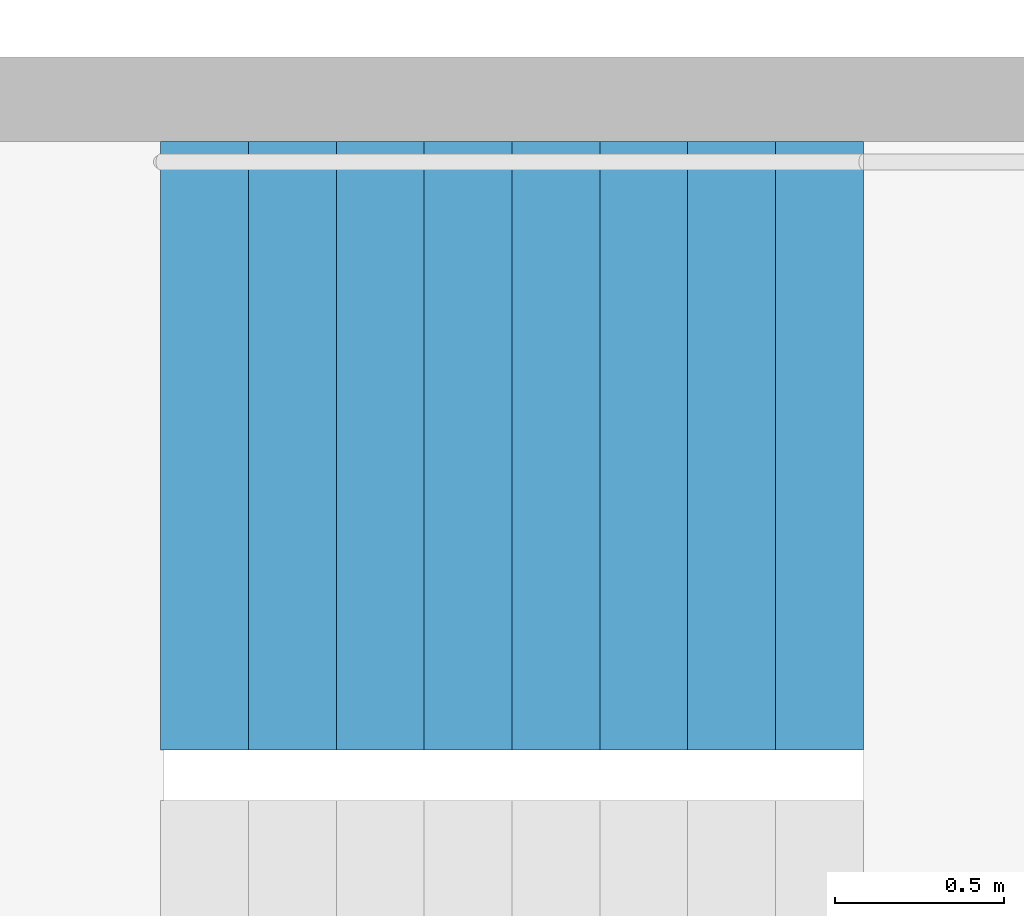
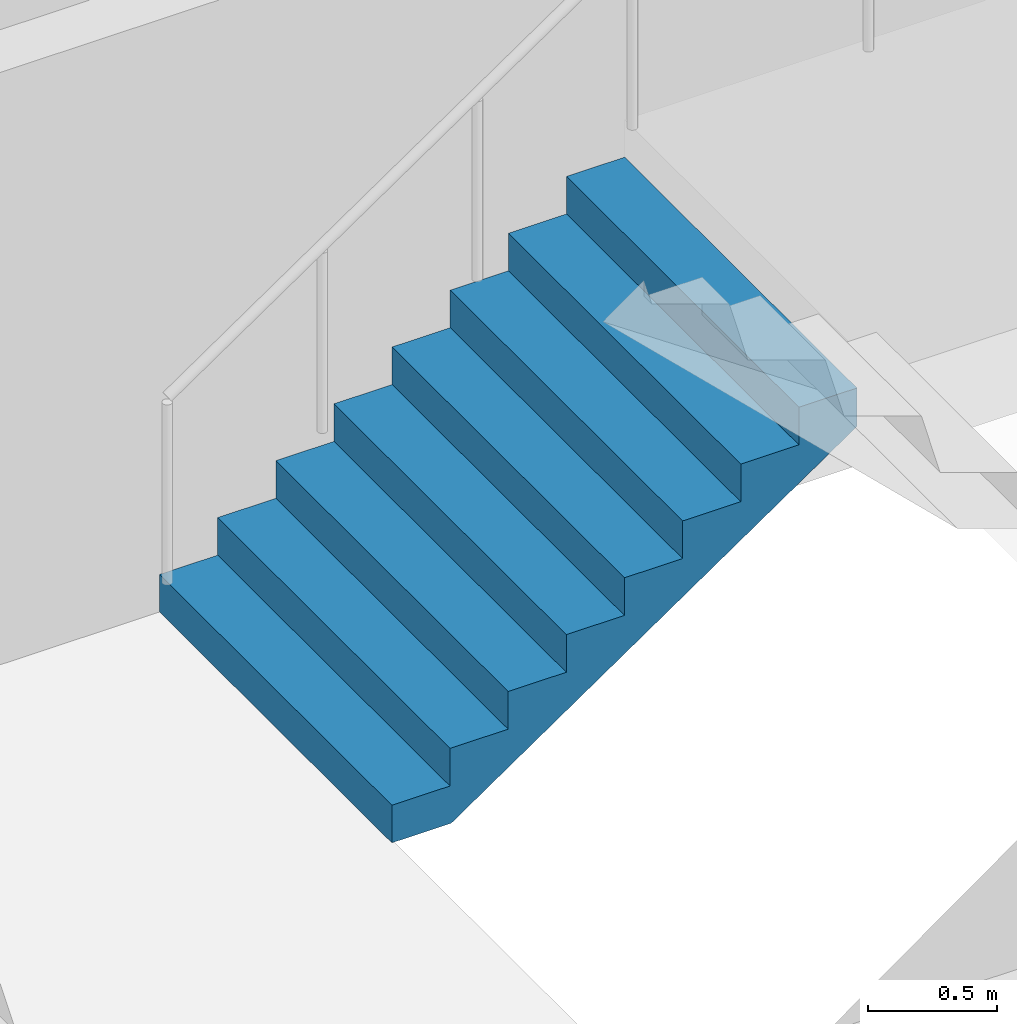
# One storey, part 25 of 28: 1 stair flight, 1 element without a shape of its own.
"""IFC4 building model written with IfcOpenShell, lengths in metres."""

from ifc_helpers import new_model, si_unit, direction, frame, origin, place, context, subcontext, project, spatial, triangles, material, type_object, element, aggregate, save


model = new_model("IFC4")

# Units and contexts
model_context = context("Model", 3, precision=1e-05, world=origin(), true_north=direction((0.0, 1.0)))
body_context = subcontext(model_context, "Body", "Model", "MODEL_VIEW")
ifc_project = project(units=[si_unit("LENGTHUNIT", "METRE"), si_unit("AREAUNIT", "SQUARE_METRE"), si_unit("VOLUMEUNIT", "CUBIC_METRE"), si_unit("PLANEANGLEUNIT", "RADIAN"), si_unit("MASSUNIT", "GRAM", prefix="KILO")], contexts=[model_context])

# Site, building, storey
site_placement = place(None, origin())
site = spatial("IfcSite", under=ifc_project, at=site_placement, CompositionType="ELEMENT")
building_placement = place(site_placement, origin())
building = spatial("IfcBuilding", under=site, at=building_placement, Name="Hakoniwa Tower and Hamabe Station Hall", CompositionType="ELEMENT")
storey_placement = place(building_placement, frame((0.0, 0.0, 35.800048828125)))
storey = spatial("IfcBuildingStorey", under=building, at=storey_placement, Name="L09", CompositionType="ELEMENT", Elevation=35.800048828125)

# Stair, stair flight
ifc_material_1 = material(Name="Concrete C40", Category="concrete")
stair_type = type_object("IfcStairType", Name="ESCAPE STAIR 1800", PredefinedType="HALF_TURN_STAIR", material=ifc_material_1)
stair_placement = place(storey_placement, origin())
stair = element("IfcStair", 1, at=stair_placement, inside=storey, type_object=stair_type, Name="Escape stair ST-4 L09", PredefinedType="HALF_TURN_STAIR")
ifc_material_2 = material(Name="Concrete C40", Category="concrete")
stair_flight_type = type_object("IfcStairFlightType", Name="STAIR FLIGHT 1800", PredefinedType="STRAIGHT", material=ifc_material_2)
stair_flight_placement = place(storey_placement, frame((23.39990234375, -4.64990234375, 0.0), z_axis=(0.0, 0.0, 1.0), x_axis=(1.0, 0.0, 0.0)))
stair_flight = element("IfcStairFlight", 2, at=stair_flight_placement, type_object=stair_flight_type, Name="ST-4 flight 1", NumberOfRisers=9, NumberOfTreads=8, PredefinedType="STRAIGHT", RiserHeight=0.177777778, TreadLength=0.26, context=body_context, shape_type="Tessellation", body=[
    triangles([(0.0, 0.89990234375, 0.0), (0.260009765625, 0.89990234375, 0.0), (0.265625, 0.89990234375, 0.0), (0.52001953125, 0.89990234375, 0.174072265625), (0.780029296875, 0.89990234375, 0.351806640625), (1.0400390625, 0.89990234375, 0.529541015625), (1.300048828125, 0.89990234375, 0.707275390625), (1.56005859375, 0.89990234375, 0.885009765625), (1.820068359375, 0.89990234375, 1.062744140625), (2.080078125, 0.89990234375, 1.24072265625), (2.080078125, 0.89990234375, 1.422119140625), (1.820068359375, 0.89990234375, 1.422119140625), (1.820068359375, 0.89990234375, 1.244384765625), (1.56005859375, 0.89990234375, 1.244384765625), (1.56005859375, 0.89990234375, 1.066650390625), (1.300048828125, 0.89990234375, 1.066650390625), (1.300048828125, 0.89990234375, 0.888916015625), (1.0400390625, 0.89990234375, 0.888916015625), (1.0400390625, 0.89990234375, 0.711181640625), (0.780029296875, 0.89990234375, 0.711181640625), (0.780029296875, 0.89990234375, 0.533447265625), (0.52001953125, 0.89990234375, 0.533447265625), (0.52001953125, 0.89990234375, 0.35546875), (0.265625, 0.89990234375, 0.35546875), (0.260009765625, 0.89990234375, 0.35546875), (0.260009765625, 0.89990234375, 0.177734375), (0.0, 0.89990234375, 0.177734375), (0.0, 0.06005859375, 0.0), (0.260009765625, 0.06005859375, 0.0), (0.265625, 0.06005859375, 0.0), (0.52001953125, 0.06005859375, 0.174072265625), (0.780029296875, 0.06005859375, 0.351806640625), (1.0400390625, 0.06005859375, 0.529541015625), (1.300048828125, 0.06005859375, 0.707275390625), (1.56005859375, 0.06005859375, 0.885009765625), (1.820068359375, 0.06005859375, 1.062744140625), (2.080078125, 0.06005859375, 1.24072265625), (2.080078125, 0.06005859375, 1.422119140625), (1.820068359375, 0.06005859375, 1.422119140625), (1.820068359375, 0.06005859375, 1.244384765625), (1.56005859375, 0.06005859375, 1.244384765625), (1.56005859375, 0.06005859375, 1.066650390625), (1.300048828125, 0.06005859375, 1.066650390625), (1.300048828125, 0.06005859375, 0.888916015625), (1.0400390625, 0.06005859375, 0.888916015625), (1.0400390625, 0.06005859375, 0.711181640625), (0.780029296875, 0.06005859375, 0.711181640625), (0.780029296875, 0.06005859375, 0.533447265625), (0.52001953125, 0.06005859375, 0.533447265625), (0.52001953125, 0.06005859375, 0.35546875), (0.265625, 0.06005859375, 0.35546875), (0.260009765625, 0.06005859375, 0.35546875), (0.260009765625, 0.06005859375, 0.177734375), (0.0, 0.06005859375, 0.177734375), (0.0, 0.04296875, 0.0), (0.260009765625, 0.04296875, 0.0), (0.265625, 0.04296875, 0.0), (0.52001953125, 0.04296875, 0.174072265625), (0.780029296875, 0.04296875, 0.351806640625), (1.0400390625, 0.04296875, 0.529541015625), (1.300048828125, 0.04296875, 0.707275390625), (1.56005859375, 0.04296875, 0.885009765625), (1.820068359375, 0.04296875, 1.062744140625), (2.080078125, 0.04296875, 1.24072265625), (2.080078125, 0.04296875, 1.422119140625), (1.820068359375, 0.04296875, 1.422119140625), (1.820068359375, 0.04296875, 1.244384765625), (1.56005859375, 0.04296875, 1.244384765625), (1.56005859375, 0.04296875, 1.066650390625), (1.300048828125, 0.04296875, 1.066650390625), (1.300048828125, 0.04296875, 0.888916015625), (1.0400390625, 0.04296875, 0.888916015625), (1.0400390625, 0.04296875, 0.711181640625), (0.780029296875, 0.04296875, 0.711181640625), (0.780029296875, 0.04296875, 0.533447265625), (0.52001953125, 0.04296875, 0.533447265625), (0.52001953125, 0.04296875, 0.35546875), (0.265625, 0.04296875, 0.35546875), (0.260009765625, 0.04296875, 0.35546875), (0.260009765625, 0.04296875, 0.177734375), (0.0, 0.04296875, 0.177734375), (0.0, 0.025634765625, 0.0), (0.260009765625, 0.025634765625, 0.0), (0.265625, 0.025634765625, 0.0), (0.52001953125, 0.025634765625, 0.174072265625), (0.780029296875, 0.025634765625, 0.351806640625), (1.0400390625, 0.025634765625, 0.529541015625), (1.300048828125, 0.025634765625, 0.707275390625), (1.56005859375, 0.025634765625, 0.885009765625), (1.820068359375, 0.025634765625, 1.062744140625), (2.080078125, 0.025634765625, 1.24072265625), (2.080078125, 0.025634765625, 1.422119140625), (1.820068359375, 0.025634765625, 1.422119140625), (1.820068359375, 0.025634765625, 1.244384765625), (1.56005859375, 0.025634765625, 1.244384765625), (1.56005859375, 0.025634765625, 1.066650390625), (1.300048828125, 0.025634765625, 1.066650390625), (1.300048828125, 0.025634765625, 0.888916015625), (1.0400390625, 0.025634765625, 0.888916015625), (1.0400390625, 0.025634765625, 0.711181640625), (0.780029296875, 0.025634765625, 0.711181640625), (0.780029296875, 0.025634765625, 0.533447265625), (0.52001953125, 0.025634765625, 0.533447265625), (0.52001953125, 0.025634765625, 0.35546875), (0.265625, 0.025634765625, 0.35546875), (0.260009765625, 0.025634765625, 0.35546875), (0.260009765625, 0.025634765625, 0.177734375), (0.0, 0.025634765625, 0.177734375), (0.0, 0.008544921875, 0.0), (0.260009765625, 0.008544921875, 0.0), (0.265625, 0.008544921875, 0.0), (0.52001953125, 0.008544921875, 0.174072265625), (0.780029296875, 0.008544921875, 0.351806640625), (1.0400390625, 0.008544921875, 0.529541015625), (1.300048828125, 0.008544921875, 0.707275390625), (1.56005859375, 0.008544921875, 0.885009765625), (1.820068359375, 0.008544921875, 1.062744140625), (2.080078125, 0.008544921875, 1.24072265625), (2.080078125, 0.008544921875, 1.422119140625), (1.820068359375, 0.008544921875, 1.422119140625), (1.820068359375, 0.008544921875, 1.244384765625), (1.56005859375, 0.008544921875, 1.244384765625), (1.56005859375, 0.008544921875, 1.066650390625), (1.300048828125, 0.008544921875, 1.066650390625), (1.300048828125, 0.008544921875, 0.888916015625), (1.0400390625, 0.008544921875, 0.888916015625), (1.0400390625, 0.008544921875, 0.711181640625), (0.780029296875, 0.008544921875, 0.711181640625), (0.780029296875, 0.008544921875, 0.533447265625), (0.52001953125, 0.008544921875, 0.533447265625), (0.52001953125, 0.008544921875, 0.35546875), (0.265625, 0.008544921875, 0.35546875), (0.260009765625, 0.008544921875, 0.35546875), (0.260009765625, 0.008544921875, 0.177734375), (0.0, 0.008544921875, 0.177734375), (0.0, -0.008544921875, 0.0), (0.260009765625, -0.008544921875, 0.0), (0.265625, -0.008544921875, 0.0), (0.52001953125, -0.008544921875, 0.174072265625), (0.780029296875, -0.008544921875, 0.351806640625), (1.0400390625, -0.008544921875, 0.529541015625), (1.300048828125, -0.008544921875, 0.707275390625), (1.56005859375, -0.008544921875, 0.885009765625), (1.820068359375, -0.008544921875, 1.062744140625), (2.080078125, -0.008544921875, 1.24072265625), (2.080078125, -0.008544921875, 1.422119140625), (1.820068359375, -0.008544921875, 1.422119140625), (1.820068359375, -0.008544921875, 1.244384765625), (1.56005859375, -0.008544921875, 1.244384765625), (1.56005859375, -0.008544921875, 1.066650390625), (1.300048828125, -0.008544921875, 1.066650390625), (1.300048828125, -0.008544921875, 0.888916015625), (1.0400390625, -0.008544921875, 0.888916015625), (1.0400390625, -0.008544921875, 0.711181640625), (0.780029296875, -0.008544921875, 0.711181640625), (0.780029296875, -0.008544921875, 0.533447265625), (0.52001953125, -0.008544921875, 0.533447265625), (0.52001953125, -0.008544921875, 0.35546875), (0.265625, -0.008544921875, 0.35546875), (0.260009765625, -0.008544921875, 0.35546875), (0.260009765625, -0.008544921875, 0.177734375), (0.0, -0.008544921875, 0.177734375), (0.0, -0.025634765625, 0.0), (0.260009765625, -0.025634765625, 0.0), (0.265625, -0.025634765625, 0.0), (0.52001953125, -0.025634765625, 0.174072265625), (0.780029296875, -0.025634765625, 0.351806640625), (1.0400390625, -0.025634765625, 0.529541015625), (1.300048828125, -0.025634765625, 0.707275390625), (1.56005859375, -0.025634765625, 0.885009765625), (1.820068359375, -0.025634765625, 1.062744140625), (2.080078125, -0.025634765625, 1.24072265625), (2.080078125, -0.025634765625, 1.422119140625), (1.820068359375, -0.025634765625, 1.422119140625), (1.820068359375, -0.025634765625, 1.244384765625), (1.56005859375, -0.025634765625, 1.244384765625), (1.56005859375, -0.025634765625, 1.066650390625), (1.300048828125, -0.025634765625, 1.066650390625), (1.300048828125, -0.025634765625, 0.888916015625), (1.0400390625, -0.025634765625, 0.888916015625), (1.0400390625, -0.025634765625, 0.711181640625), (0.780029296875, -0.025634765625, 0.711181640625), (0.780029296875, -0.025634765625, 0.533447265625), (0.52001953125, -0.025634765625, 0.533447265625), (0.52001953125, -0.025634765625, 0.35546875), (0.265625, -0.025634765625, 0.35546875), (0.260009765625, -0.025634765625, 0.35546875), (0.260009765625, -0.025634765625, 0.177734375), (0.0, -0.025634765625, 0.177734375), (0.0, -0.04296875, 0.0), (0.260009765625, -0.04296875, 0.0), (0.265625, -0.04296875, 0.0), (0.52001953125, -0.04296875, 0.174072265625), (0.780029296875, -0.04296875, 0.351806640625), (1.0400390625, -0.04296875, 0.529541015625), (1.300048828125, -0.04296875, 0.707275390625), (1.56005859375, -0.04296875, 0.885009765625), (1.820068359375, -0.04296875, 1.062744140625), (2.080078125, -0.04296875, 1.24072265625), (2.080078125, -0.04296875, 1.422119140625), (1.820068359375, -0.04296875, 1.422119140625), (1.820068359375, -0.04296875, 1.244384765625), (1.56005859375, -0.04296875, 1.244384765625), (1.56005859375, -0.04296875, 1.066650390625), (1.300048828125, -0.04296875, 1.066650390625), (1.300048828125, -0.04296875, 0.888916015625), (1.0400390625, -0.04296875, 0.888916015625), (1.0400390625, -0.04296875, 0.711181640625), (0.780029296875, -0.04296875, 0.711181640625), (0.780029296875, -0.04296875, 0.533447265625), (0.52001953125, -0.04296875, 0.533447265625), (0.52001953125, -0.04296875, 0.35546875), (0.265625, -0.04296875, 0.35546875), (0.260009765625, -0.04296875, 0.35546875), (0.260009765625, -0.04296875, 0.177734375), (0.0, -0.04296875, 0.177734375), (0.0, -0.06005859375, 0.0), (0.260009765625, -0.06005859375, 0.0), (0.265625, -0.06005859375, 0.0), (0.52001953125, -0.06005859375, 0.174072265625), (0.780029296875, -0.06005859375, 0.351806640625), (1.0400390625, -0.06005859375, 0.529541015625), (1.300048828125, -0.06005859375, 0.707275390625), (1.56005859375, -0.06005859375, 0.885009765625), (1.820068359375, -0.06005859375, 1.062744140625), (2.080078125, -0.06005859375, 1.24072265625), (2.080078125, -0.06005859375, 1.422119140625), (1.820068359375, -0.06005859375, 1.422119140625), (1.820068359375, -0.06005859375, 1.244384765625), (1.56005859375, -0.06005859375, 1.244384765625), (1.56005859375, -0.06005859375, 1.066650390625), (1.300048828125, -0.06005859375, 1.066650390625), (1.300048828125, -0.06005859375, 0.888916015625), (1.0400390625, -0.06005859375, 0.888916015625), (1.0400390625, -0.06005859375, 0.711181640625), (0.780029296875, -0.06005859375, 0.711181640625), (0.780029296875, -0.06005859375, 0.533447265625), (0.52001953125, -0.06005859375, 0.533447265625), (0.52001953125, -0.06005859375, 0.35546875), (0.265625, -0.06005859375, 0.35546875), (0.260009765625, -0.06005859375, 0.35546875), (0.260009765625, -0.06005859375, 0.177734375), (0.0, -0.06005859375, 0.177734375), (0.0, -0.89990234375, 0.0), (0.260009765625, -0.89990234375, 0.0), (0.265625, -0.89990234375, 0.0), (0.52001953125, -0.89990234375, 0.174072265625), (0.780029296875, -0.89990234375, 0.351806640625), (1.0400390625, -0.89990234375, 0.529541015625), (1.300048828125, -0.89990234375, 0.707275390625), (1.56005859375, -0.89990234375, 0.885009765625), (1.820068359375, -0.89990234375, 1.062744140625), (2.080078125, -0.89990234375, 1.24072265625), (2.080078125, -0.89990234375, 1.422119140625), (1.820068359375, -0.89990234375, 1.422119140625), (1.820068359375, -0.89990234375, 1.244384765625), (1.56005859375, -0.89990234375, 1.244384765625), (1.56005859375, -0.89990234375, 1.066650390625), (1.300048828125, -0.89990234375, 1.066650390625), (1.300048828125, -0.89990234375, 0.888916015625), (1.0400390625, -0.89990234375, 0.888916015625), (1.0400390625, -0.89990234375, 0.711181640625), (0.780029296875, -0.89990234375, 0.711181640625), (0.780029296875, -0.89990234375, 0.533447265625), (0.52001953125, -0.89990234375, 0.533447265625), (0.52001953125, -0.89990234375, 0.35546875), (0.265625, -0.89990234375, 0.35546875), (0.260009765625, -0.89990234375, 0.35546875), (0.260009765625, -0.89990234375, 0.177734375), (0.0, -0.89990234375, 0.177734375)], [[2, 27, 26], [245, 269, 270], [2, 1, 27], [245, 270, 244], [3, 25, 24], [246, 267, 268], [3, 26, 25], [246, 268, 269], [3, 2, 26], [246, 269, 245], [4, 24, 23], [247, 266, 267], [4, 3, 24], [247, 267, 246], [5, 22, 21], [248, 264, 265], [5, 23, 22], [248, 265, 266], [5, 4, 23], [248, 266, 247], [6, 20, 19], [249, 262, 263], [6, 21, 20], [249, 263, 264], [6, 5, 21], [249, 264, 248], [7, 18, 17], [250, 260, 261], [7, 19, 18], [250, 261, 262], [7, 6, 19], [250, 262, 249], [8, 16, 15], [251, 258, 259], [8, 17, 16], [251, 259, 260], [8, 7, 17], [251, 260, 250], [9, 14, 13], [252, 256, 257], [9, 15, 14], [252, 257, 258], [9, 8, 15], [252, 258, 251], [10, 12, 11], [253, 254, 255], [10, 13, 12], [253, 255, 256], [10, 9, 13], [253, 256, 252], [1, 2, 29], [1, 29, 28], [28, 29, 56], [28, 56, 55], [55, 56, 83], [55, 83, 82], [82, 83, 110], [82, 110, 109], [109, 110, 137], [109, 137, 136], [136, 137, 164], [136, 164, 163], [163, 164, 191], [163, 191, 190], [190, 191, 218], [190, 218, 217], [217, 218, 245], [217, 245, 244], [2, 3, 30], [2, 30, 29], [29, 30, 57], [29, 57, 56], [56, 57, 84], [56, 84, 83], [83, 84, 111], [83, 111, 110], [110, 111, 138], [110, 138, 137], [137, 138, 165], [137, 165, 164], [164, 165, 192], [164, 192, 191], [191, 192, 219], [191, 219, 218], [218, 219, 246], [218, 246, 245], [3, 4, 31], [3, 31, 30], [30, 31, 58], [30, 58, 57], [57, 58, 85], [57, 85, 84], [84, 85, 112], [84, 112, 111], [111, 112, 139], [111, 139, 138], [138, 139, 166], [138, 166, 165], [165, 166, 193], [165, 193, 192], [192, 193, 220], [192, 220, 219], [219, 220, 247], [219, 247, 246], [4, 5, 32], [4, 32, 31], [31, 32, 59], [31, 59, 58], [58, 59, 86], [58, 86, 85], [85, 86, 113], [85, 113, 112], [112, 113, 140], [112, 140, 139], [139, 140, 167], [139, 167, 166], [166, 167, 194], [166, 194, 193], [193, 194, 221], [193, 221, 220], [220, 221, 248], [220, 248, 247], [5, 6, 33], [5, 33, 32], [32, 33, 60], [32, 60, 59], [59, 60, 87], [59, 87, 86], [86, 87, 114], [86, 114, 113], [113, 114, 141], [113, 141, 140], [140, 141, 168], [140, 168, 167], [167, 168, 195], [167, 195, 194], [194, 195, 222], [194, 222, 221], [221, 222, 249], [221, 249, 248], [6, 7, 34], [6, 34, 33], [33, 34, 61], [33, 61, 60], [60, 61, 88], [60, 88, 87], [87, 88, 115], [87, 115, 114], [114, 115, 142], [114, 142, 141], [141, 142, 169], [141, 169, 168], [168, 169, 196], [168, 196, 195], [195, 196, 223], [195, 223, 222], [222, 223, 250], [222, 250, 249], [7, 8, 35], [7, 35, 34], [34, 35, 62], [34, 62, 61], [61, 62, 89], [61, 89, 88], [88, 89, 116], [88, 116, 115], [115, 116, 143], [115, 143, 142], [142, 143, 170], [142, 170, 169], [169, 170, 197], [169, 197, 196], [196, 197, 224], [196, 224, 223], [223, 224, 251], [223, 251, 250], [8, 9, 36], [8, 36, 35], [35, 36, 63], [35, 63, 62], [62, 63, 90], [62, 90, 89], [89, 90, 117], [89, 117, 116], [116, 117, 144], [116, 144, 143], [143, 144, 171], [143, 171, 170], [170, 171, 198], [170, 198, 197], [197, 198, 225], [197, 225, 224], [224, 225, 252], [224, 252, 251], [9, 10, 37], [9, 37, 36], [36, 37, 64], [36, 64, 63], [63, 64, 91], [63, 91, 90], [90, 91, 118], [90, 118, 117], [117, 118, 145], [117, 145, 144], [144, 145, 172], [144, 172, 171], [171, 172, 199], [171, 199, 198], [198, 199, 226], [198, 226, 225], [225, 226, 253], [225, 253, 252], [10, 11, 38], [10, 38, 37], [37, 38, 65], [37, 65, 64], [64, 65, 92], [64, 92, 91], [91, 92, 119], [91, 119, 118], [118, 119, 146], [118, 146, 145], [145, 146, 173], [145, 173, 172], [172, 173, 200], [172, 200, 199], [199, 200, 227], [199, 227, 226], [226, 227, 254], [226, 254, 253], [11, 12, 39], [11, 39, 38], [38, 39, 66], [38, 66, 65], [65, 66, 93], [65, 93, 92], [92, 93, 120], [92, 120, 119], [119, 120, 147], [119, 147, 146], [146, 147, 174], [146, 174, 173], [173, 174, 201], [173, 201, 200], [200, 201, 228], [200, 228, 227], [227, 228, 255], [227, 255, 254], [12, 13, 40], [12, 40, 39], [39, 40, 67], [39, 67, 66], [66, 67, 94], [66, 94, 93], [93, 94, 121], [93, 121, 120], [120, 121, 148], [120, 148, 147], [147, 148, 175], [147, 175, 174], [174, 175, 202], [174, 202, 201], [201, 202, 229], [201, 229, 228], [228, 229, 256], [228, 256, 255], [13, 14, 41], [13, 41, 40], [40, 41, 68], [40, 68, 67], [67, 68, 95], [67, 95, 94], [94, 95, 122], [94, 122, 121], [121, 122, 149], [121, 149, 148], [148, 149, 176], [148, 176, 175], [175, 176, 203], [175, 203, 202], [202, 203, 230], [202, 230, 229], [229, 230, 257], [229, 257, 256], [14, 15, 42], [14, 42, 41], [41, 42, 69], [41, 69, 68], [68, 69, 96], [68, 96, 95], [95, 96, 123], [95, 123, 122], [122, 123, 150], [122, 150, 149], [149, 150, 177], [149, 177, 176], [176, 177, 204], [176, 204, 203], [203, 204, 231], [203, 231, 230], [230, 231, 258], [230, 258, 257], [15, 16, 43], [15, 43, 42], [42, 43, 70], [42, 70, 69], [69, 70, 97], [69, 97, 96], [96, 97, 124], [96, 124, 123], [123, 124, 151], [123, 151, 150], [150, 151, 178], [150, 178, 177], [177, 178, 205], [177, 205, 204], [204, 205, 232], [204, 232, 231], [231, 232, 259], [231, 259, 258], [16, 17, 44], [16, 44, 43], [43, 44, 71], [43, 71, 70], [70, 71, 98], [70, 98, 97], [97, 98, 125], [97, 125, 124], [124, 125, 152], [124, 152, 151], [151, 152, 179], [151, 179, 178], [178, 179, 206], [178, 206, 205], [205, 206, 233], [205, 233, 232], [232, 233, 260], [232, 260, 259], [17, 18, 45], [17, 45, 44], [44, 45, 72], [44, 72, 71], [71, 72, 99], [71, 99, 98], [98, 99, 126], [98, 126, 125], [125, 126, 153], [125, 153, 152], [152, 153, 180], [152, 180, 179], [179, 180, 207], [179, 207, 206], [206, 207, 234], [206, 234, 233], [233, 234, 261], [233, 261, 260], [18, 19, 46], [18, 46, 45], [45, 46, 73], [45, 73, 72], [72, 73, 100], [72, 100, 99], [99, 100, 127], [99, 127, 126], [126, 127, 154], [126, 154, 153], [153, 154, 181], [153, 181, 180], [180, 181, 208], [180, 208, 207], [207, 208, 235], [207, 235, 234], [234, 235, 262], [234, 262, 261], [19, 20, 47], [19, 47, 46], [46, 47, 74], [46, 74, 73], [73, 74, 101], [73, 101, 100], [100, 101, 128], [100, 128, 127], [127, 128, 155], [127, 155, 154], [154, 155, 182], [154, 182, 181], [181, 182, 209], [181, 209, 208], [208, 209, 236], [208, 236, 235], [235, 236, 263], [235, 263, 262], [20, 21, 48], [20, 48, 47], [47, 48, 75], [47, 75, 74], [74, 75, 102], [74, 102, 101], [101, 102, 129], [101, 129, 128], [128, 129, 156], [128, 156, 155], [155, 156, 183], [155, 183, 182], [182, 183, 210], [182, 210, 209], [209, 210, 237], [209, 237, 236], [236, 237, 264], [236, 264, 263], [21, 22, 49], [21, 49, 48], [48, 49, 76], [48, 76, 75], [75, 76, 103], [75, 103, 102], [102, 103, 130], [102, 130, 129], [129, 130, 157], [129, 157, 156], [156, 157, 184], [156, 184, 183], [183, 184, 211], [183, 211, 210], [210, 211, 238], [210, 238, 237], [237, 238, 265], [237, 265, 264], [22, 23, 50], [22, 50, 49], [49, 50, 77], [49, 77, 76], [76, 77, 104], [76, 104, 103], [103, 104, 131], [103, 131, 130], [130, 131, 158], [130, 158, 157], [157, 158, 185], [157, 185, 184], [184, 185, 212], [184, 212, 211], [211, 212, 239], [211, 239, 238], [238, 239, 266], [238, 266, 265], [23, 24, 51], [23, 51, 50], [50, 51, 78], [50, 78, 77], [77, 78, 105], [77, 105, 104], [104, 105, 132], [104, 132, 131], [131, 132, 159], [131, 159, 158], [158, 159, 186], [158, 186, 185], [185, 186, 213], [185, 213, 212], [212, 213, 240], [212, 240, 239], [239, 240, 267], [239, 267, 266], [24, 25, 52], [24, 52, 51], [51, 52, 79], [51, 79, 78], [78, 79, 106], [78, 106, 105], [105, 106, 133], [105, 133, 132], [132, 133, 160], [132, 160, 159], [159, 160, 187], [159, 187, 186], [186, 187, 214], [186, 214, 213], [213, 214, 241], [213, 241, 240], [240, 241, 268], [240, 268, 267], [25, 26, 53], [25, 53, 52], [52, 53, 80], [52, 80, 79], [79, 80, 107], [79, 107, 106], [106, 107, 134], [106, 134, 133], [133, 134, 161], [133, 161, 160], [160, 161, 188], [160, 188, 187], [187, 188, 215], [187, 215, 214], [214, 215, 242], [214, 242, 241], [241, 242, 269], [241, 269, 268], [26, 27, 54], [26, 54, 53], [53, 54, 81], [53, 81, 80], [80, 81, 108], [80, 108, 107], [107, 108, 135], [107, 135, 134], [134, 135, 162], [134, 162, 161], [161, 162, 189], [161, 189, 188], [188, 189, 216], [188, 216, 215], [215, 216, 243], [215, 243, 242], [242, 243, 270], [242, 270, 269], [27, 1, 28], [27, 28, 54], [54, 28, 55], [54, 55, 81], [81, 55, 82], [81, 82, 108], [108, 82, 109], [108, 109, 135], [135, 109, 136], [135, 136, 162], [162, 136, 163], [162, 163, 189], [189, 163, 190], [189, 190, 216], [216, 190, 217], [216, 217, 243], [243, 217, 244], [243, 244, 270]], closed=True),
])
aggregate(stair, [stair_flight])

save(model, "model.ifc")
